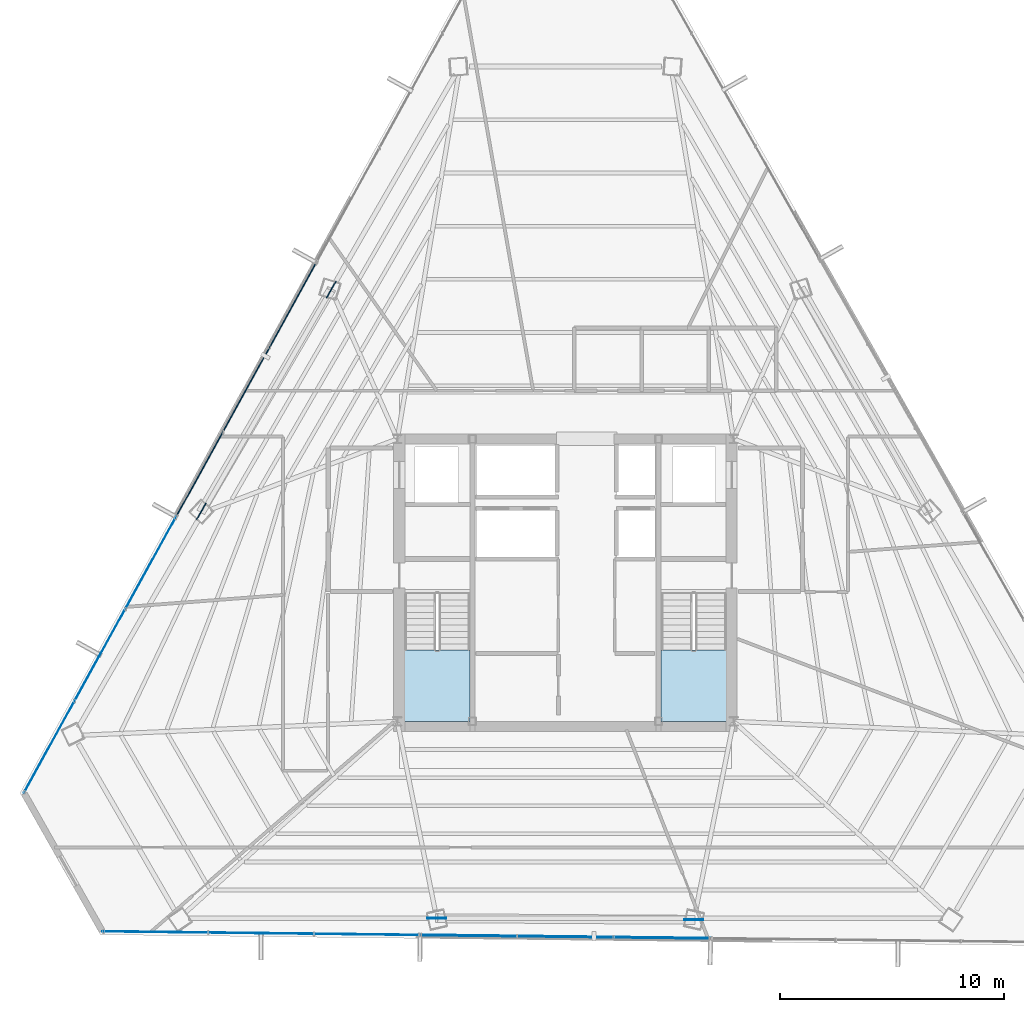
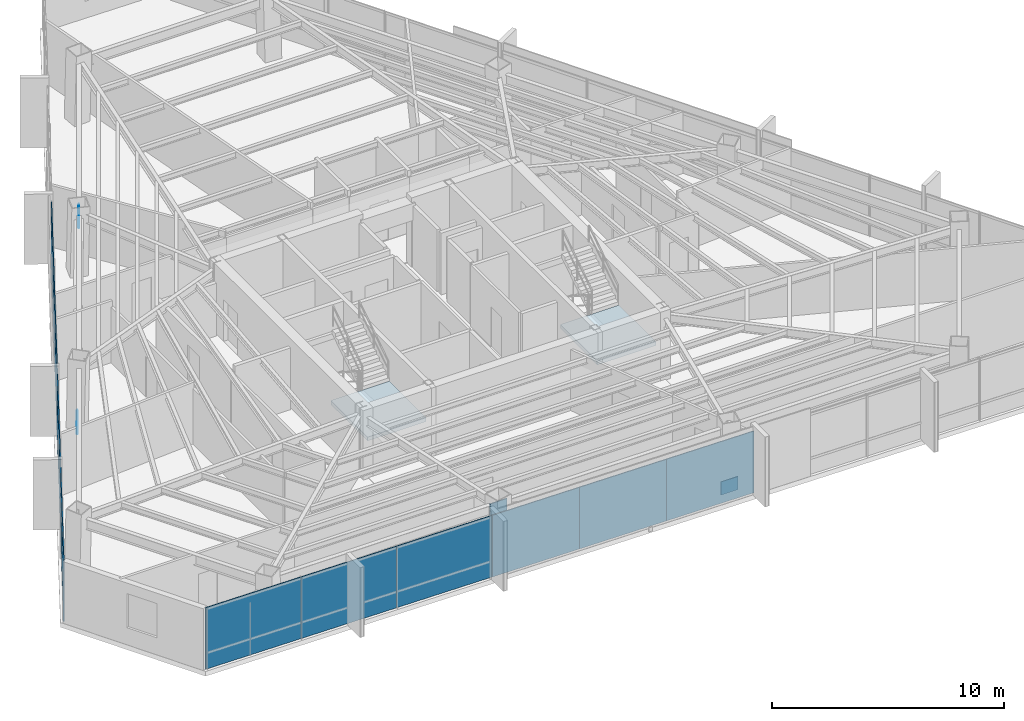
# One storey, part 33 of 40: 16 plates, 2 slabs, 6 elements without a shape of their own.
"""IFC4 building model written with IfcOpenShell, lengths in metres."""

from ifc_helpers import new_model, si_unit, direction, frame, origin, origin_2d, place, context, subcontext, project, spatial, polyline, rectangle, outline, extrude, source, transform, mapped, material, layer, layer_set, type_object, type_shapes, element, aggregate, save


model = new_model("IFC4")

# Units and contexts
model_context = context("Model", 3, precision=1e-05, world=origin(), true_north=direction((0.0, 1.0)))
body_context = subcontext(model_context, "Body", "Model", "MODEL_VIEW")
ifc_project = project(units=[si_unit("LENGTHUNIT", "METRE"), si_unit("AREAUNIT", "SQUARE_METRE"), si_unit("VOLUMEUNIT", "CUBIC_METRE"), si_unit("PLANEANGLEUNIT", "RADIAN"), si_unit("MASSUNIT", "GRAM", prefix="KILO")], contexts=[model_context])

# Site, building, storey
site_placement = place(None, origin())
site = spatial("IfcSite", under=ifc_project, at=site_placement, CompositionType="ELEMENT")
building_placement = place(site_placement, origin())
building = spatial("IfcBuilding", under=site, at=building_placement, Name="Caelisora Broadcast Tower", CompositionType="ELEMENT")
storey_placement = place(building_placement, frame((0.0, 0.0, 216.89990234375)))
storey = spatial("IfcBuildingStorey", under=building, at=storey_placement, Name="L57", CompositionType="ELEMENT", Elevation=216.89990234375)

# Stair, slab
ifc_material_1 = material(Name="Concrete 40 MPa (AS 3600 N40)", Category="concrete")
stair_type_1 = type_object("IfcStairType", Name="ST-1", PredefinedType="HALF_TURN_STAIR", material=ifc_material_1)
stair_1_placement = place(storey_placement, origin())
stair_1 = element("IfcStair", 1, at=stair_1_placement, inside=storey, type_object=stair_type_1, Name="L57 West Fire-Isolated Tower Stair", PredefinedType="HALF_TURN_STAIR")
ifc_layer_1 = layer(ifc_material_1, 0.199951171875, Name="Concrete 40 MPa (AS 3600 N40)")
ifc_layer_set_1 = layer_set([ifc_layer_1], Name="Concrete 40 MPa (AS 3600 N40)")
slab_type = type_object("IfcSlabType", Name="STL-1", PredefinedType="LANDING", material=ifc_layer_set_1)
slab_1_placement = place(storey_placement, frame((0.0, 0.0, 1.625)))
slab_1 = element("IfcSlab", 2, at=slab_1_placement, type_object=slab_type, Name="ST-1 landing 1", PredefinedType="LANDING", context=body_context, shape_type="SweptSolid", body=[
    extrude(outline(polyline([(30.820068359375, 20.580078125), (30.820068359375, 17.39990234375), (33.739990234375, 17.39990234375), (33.739990234375, 20.580078125), (30.820068359375, 20.580078125)])), origin(), (0.0, 0.0, 1.0), 0.2001953125),
])
aggregate(stair_1, [slab_1])

stair_type_2 = type_object("IfcStairType", Name="ST-2", PredefinedType="HALF_TURN_STAIR", material=ifc_material_1)
stair_2_placement = place(storey_placement, origin())
stair_2 = element("IfcStair", 3, at=stair_2_placement, inside=storey, type_object=stair_type_2, Name="L57 East Fire-Isolated Tower Stair", PredefinedType="HALF_TURN_STAIR")
slab_2_placement = place(storey_placement, frame((0.0, 0.0, 1.625)))
slab_2 = element("IfcSlab", 4, at=slab_2_placement, type_object=slab_type, Name="ST-2 landing 1", PredefinedType="LANDING", context=body_context, shape_type="SweptSolid", body=[
    extrude(outline(polyline([(42.260009765625, 20.580078125), (42.260009765625, 17.39990234375), (45.179931640625, 17.39990234375), (45.179931640625, 20.580078125), (42.260009765625, 20.580078125)])), origin(), (0.0, 0.0, 1.0), 0.2001953125),
])
aggregate(stair_2, [slab_2])

# Plates
ifc_material_2 = material(Name="Steel Grade 350 L15 (AS/NZS 3678)", Category="steel")
ifc_layer_2 = layer(ifc_material_2, 0.0400390625, Name="Steel Grade 350 L15 (AS/NZS 3678)")
ifc_layer_set_2 = layer_set([ifc_layer_2], Name="Steel Grade 350 L15 (AS/NZS 3678)")
plate_type_1 = type_object("IfcPlateType", Name="GP04", PredefinedType="USERDEFINED", material=ifc_layer_set_2)
shared_shape_1 = source(origin(), body_context, "Body", "SweptSolid", [
    extrude(rectangle(XDim=0.85009765625, YDim=0.0400390625, at=origin_2d()), origin(), (0.0, 0.0, 1.0), 0.699951171875),
])
type_shapes(plate_type_1, [shared_shape_1])
for number, where, z_axis, x_axis, name in (
    (5, (27.553955078125, 36.6630859375, 2.580078125), (0.0, 0.0, 1.0), (-0.5, -0.866025403784, 0.0), "L57 gusset plate GP04 (ND-L57-C02T)"),
    (6, (21.755859375, 26.765380859375, -0.22998046875), (0.0, 0.0, 1.0), (-0.5, -0.866025403784, 0.0), "L57 gusset plate GP04 (ND-L57-C03B)"),
    (7, (32.25634765625, 8.621826171875, 2.580078125), (0.0, 0.0, 1.0), (1.0, 0.0, 0.0), "L57 gusset plate GP04 (ND-L57-C06T)"),
    (8, (43.727294921875, 8.549560546875, -0.22998046875), (0.0, 0.0, 1.0), (1.0, 0.0, 0.0), "L57 gusset plate GP04 (ND-L57-C07B)"),
):
    element("IfcPlate", number, at=place(storey_placement, frame(where, z_axis=z_axis, x_axis=x_axis)), inside=storey, type_object=plate_type_1, Name=name, ObjectType="GUSSET PLATE", PredefinedType="USERDEFINED", context=body_context, shape_type="MappedRepresentation", body=[
        mapped(shared_shape_1, transform((0.0, 0.0, 0.0), scale=1.0)),
    ])

# Curtain wall, plates
ifc_material_3 = material(Name="Unitised Aluminium Insulated Shadow-Box Spandrel Curtain Wall", Category="aluminium")
curtain_wall_type_1 = type_object("IfcCurtainWallType", Name="CW-SP2", PredefinedType="NOTDEFINED", material=ifc_material_3)
curtain_wall_1_placement = place(storey_placement, origin())
curtain_wall_1 = element("IfcCurtainWall", 9, at=curtain_wall_1_placement, inside=storey, type_object=curtain_wall_type_1, Name="L57 curtain wall CW-SP2", PredefinedType="NOTDEFINED")
ifc_material_4 = material(Name="Insulated Terracotta Shadow-Box Spandrel Panel", Category="aluminium")
ifc_layer_3 = layer(ifc_material_4, 0.0439453125, Name="Insulated Terracotta Shadow-Box Spandrel Panel")
ifc_layer_set_3 = layer_set([ifc_layer_3], Name="Insulated Terracotta Shadow-Box Spandrel Panel")
plate_type_2 = type_object("IfcPlateType", Name="CWP-10", PredefinedType="CURTAIN_PANEL", material=ifc_layer_set_3)
shared_shape_2 = source(origin(), body_context, "Body", "SweptSolid", [
    extrude(rectangle(XDim=4.314697265625, YDim=0.0439453125, at=origin_2d()), origin(), (0.0, 0.0, 1.0), 3.25),
])
plate_1_placement = place(storey_placement, frame((42.3056640625, 7.74560546875, 0.0), z_axis=(0.0, 0.0, 1.0), x_axis=(-0.99993365506, 0.011518918316, 0.0)))
plate_1 = element("IfcPlate", 10, at=plate_1_placement, type_object=plate_type_2, Name="L57-CW-B06 spandrel panel #1", PredefinedType="CURTAIN_PANEL", context=body_context, shape_type="MappedRepresentation", body=[
    mapped(shared_shape_2, transform((0.0, 0.0, 0.0), scale=1.0)),
])
plate_2_placement = place(storey_placement, frame((37.9912109375, 7.79541015625, 0.0), z_axis=(0.0, 0.0, 1.0), x_axis=(-0.99993365506, 0.011518918316, 0.0)))
plate_2 = element("IfcPlate", 11, at=plate_2_placement, type_object=plate_type_2, Name="L57-CW-B06 spandrel panel #2", PredefinedType="CURTAIN_PANEL", context=body_context, shape_type="MappedRepresentation", body=[
    mapped(shared_shape_2, transform((0.0, 0.0, 0.0), scale=1.0)),
])
plate_3_placement = place(storey_placement, frame((33.677001953125, 7.844970703125, 0.0), z_axis=(0.0, 0.0, 1.0), x_axis=(-0.99993365506, 0.011518918316, 0.0)))
plate_3 = element("IfcPlate", 12, at=plate_3_placement, type_object=plate_type_2, Name="L57-CW-B06 spandrel panel #3", PredefinedType="CURTAIN_PANEL", context=body_context, shape_type="MappedRepresentation", body=[
    mapped(shared_shape_2, transform((0.0, 0.0, 0.0), scale=1.0)),
])
aggregate(curtain_wall_1, [plate_1, plate_2, plate_3])

ifc_material_5 = material(Name="Unitised Aluminium and Low-E Glass Curtain Wall", Category="glass")
curtain_wall_type_2 = type_object("IfcCurtainWallType", Name="CW-Z4", PredefinedType="NOTDEFINED", material=ifc_material_5)
curtain_wall_2_placement = place(storey_placement, origin())
curtain_wall_2 = element("IfcCurtainWall", 13, at=curtain_wall_2_placement, inside=storey, type_object=curtain_wall_type_2, Name="L57 curtain wall CW-Z4", PredefinedType="NOTDEFINED")
ifc_material_6 = material(Name="Double Glazed Low-E Argon IGU", Category="glass")
ifc_layer_4 = layer(ifc_material_6, 0.030029296875, Name="Double Glazed Low-E Argon IGU")
ifc_layer_set_4 = layer_set([ifc_layer_4], Name="Double Glazed Low-E Argon IGU")
plate_type_3 = type_object("IfcPlateType", Name="CWP-05", PredefinedType="CURTAIN_PANEL", material=ifc_layer_set_4)
shared_shape_3 = source(origin(), body_context, "Body", "SweptSolid", [
    extrude(rectangle(XDim=4.722900390625, YDim=0.030029296875, at=origin_2d()), origin(), (0.0, 0.0, 1.0), 3.25),
])
plate_4_placement = place(storey_placement, frame((29.1484375, 7.897216796875, 0.0), z_axis=(0.0, 0.0, 1.0), x_axis=(-0.99993365506, 0.011518918316, 0.0)))
plate_4 = element("IfcPlate", 14, at=plate_4_placement, type_object=plate_type_3, Name="L57-CW-B07 glazed panel #1", PredefinedType="CURTAIN_PANEL", context=body_context, shape_type="MappedRepresentation", body=[
    mapped(shared_shape_3, transform((0.0, 0.0, 0.0), scale=1.0)),
])
plate_5_placement = place(storey_placement, frame((24.42578125, 7.951416015625, 0.0), z_axis=(0.0, 0.0, 1.0), x_axis=(-0.99993365506, 0.011518918316, 0.0)))
plate_5 = element("IfcPlate", 15, at=plate_5_placement, type_object=plate_type_3, Name="L57-CW-B07 glazed panel #2", PredefinedType="CURTAIN_PANEL", context=body_context, shape_type="MappedRepresentation", body=[
    mapped(shared_shape_3, transform((0.0, 0.0, 0.0), scale=1.0)),
])
plate_6_placement = place(storey_placement, frame((19.703369140625, 8.005859375, 0.0), z_axis=(0.0, 0.0, 1.0), x_axis=(-0.99993365506, 0.011518918316, 0.0)))
plate_6 = element("IfcPlate", 16, at=plate_6_placement, type_object=plate_type_3, Name="L57-CW-B07 glazed panel #3", PredefinedType="CURTAIN_PANEL", context=body_context, shape_type="MappedRepresentation", body=[
    mapped(shared_shape_3, transform((0.0, 0.0, 0.0), scale=1.0)),
])
aggregate(curtain_wall_2, [plate_4, plate_5, plate_6])

curtain_wall_3_placement = place(storey_placement, origin())
curtain_wall_3 = element("IfcCurtainWall", 17, at=curtain_wall_3_placement, inside=storey, type_object=curtain_wall_type_2, Name="L57 curtain wall CW-Z4", PredefinedType="NOTDEFINED")
shared_shape_4 = source(origin(), body_context, "Body", "SweptSolid", [
    extrude(rectangle(XDim=4.686767578125, YDim=0.030029296875, at=origin_2d()), origin(), (0.0, 0.0, 1.0), 3.25),
])
type_shapes(plate_type_3, [shared_shape_3, shared_shape_4])
plate_7_placement = place(storey_placement, frame((14.973388671875, 16.26318359375, 0.0), z_axis=(0.0, 0.0, 1.0), x_axis=(0.482823924874, 0.875717453046, 0.0)))
plate_7 = element("IfcPlate", 18, at=plate_7_placement, type_object=plate_type_3, Name="L57-CW-B09 glazed panel #1", PredefinedType="CURTAIN_PANEL", context=body_context, shape_type="MappedRepresentation", body=[
    mapped(shared_shape_4, transform((0.0, 0.0, 0.0), scale=1.0)),
])
plate_8_placement = place(storey_placement, frame((17.236572265625, 20.3671875, 0.0), z_axis=(0.0, 0.0, 1.0), x_axis=(0.482823924874, 0.875717453046, 0.0)))
plate_8 = element("IfcPlate", 19, at=plate_8_placement, type_object=plate_type_3, Name="L57-CW-B09 glazed panel #2", PredefinedType="CURTAIN_PANEL", context=body_context, shape_type="MappedRepresentation", body=[
    mapped(shared_shape_4, transform((0.0, 0.0, 0.0), scale=1.0)),
])
plate_9_placement = place(storey_placement, frame((19.49951171875, 24.47119140625, 0.0), z_axis=(0.0, 0.0, 1.0), x_axis=(0.482823924874, 0.875717453046, 0.0)))
plate_9 = element("IfcPlate", 20, at=plate_9_placement, type_object=plate_type_3, Name="L57-CW-B09 glazed panel #3", PredefinedType="CURTAIN_PANEL", context=body_context, shape_type="MappedRepresentation", body=[
    mapped(shared_shape_4, transform((0.0, 0.0, 0.0), scale=1.0)),
])
aggregate(curtain_wall_3, [plate_7, plate_8, plate_9])

curtain_wall_4_placement = place(storey_placement, origin())
curtain_wall_4 = element("IfcCurtainWall", 21, at=curtain_wall_4_placement, inside=storey, type_object=curtain_wall_type_1, Name="L57 curtain wall CW-SP2", PredefinedType="NOTDEFINED")
shared_shape_5 = source(origin(), body_context, "Body", "SweptSolid", [
    extrude(rectangle(XDim=4.314208984375, YDim=0.0439453125, at=origin_2d()), origin(), (0.0, 0.0, 1.0), 3.25),
])
type_shapes(plate_type_2, [shared_shape_2, shared_shape_5])
plate_10_placement = place(storey_placement, frame((21.677490234375, 28.4208984375, 0.0), z_axis=(0.0, 0.0, 1.0), x_axis=(0.482823924874, 0.875717453046, 0.0)))
plate_10 = element("IfcPlate", 22, at=plate_10_placement, type_object=plate_type_2, Name="L57-CW-B10 spandrel panel #1", PredefinedType="CURTAIN_PANEL", context=body_context, shape_type="MappedRepresentation", body=[
    mapped(shared_shape_5, transform((0.0, 0.0, 0.0), scale=1.0)),
])
plate_11_placement = place(storey_placement, frame((23.760498046875, 32.198974609375, 0.0), z_axis=(0.0, 0.0, 1.0), x_axis=(0.482823924874, 0.875717453046, 0.0)))
plate_11 = element("IfcPlate", 23, at=plate_11_placement, type_object=plate_type_2, Name="L57-CW-B10 spandrel panel #2", PredefinedType="CURTAIN_PANEL", context=body_context, shape_type="MappedRepresentation", body=[
    mapped(shared_shape_5, transform((0.0, 0.0, 0.0), scale=1.0)),
])
plate_12_placement = place(storey_placement, frame((25.84375, 35.976806640625, 0.0), z_axis=(0.0, 0.0, 1.0), x_axis=(0.482823924874, 0.875717453046, 0.0)))
plate_12 = element("IfcPlate", 24, at=plate_12_placement, type_object=plate_type_2, Name="L57-CW-B10 spandrel panel #3", PredefinedType="CURTAIN_PANEL", context=body_context, shape_type="MappedRepresentation", body=[
    mapped(shared_shape_5, transform((0.0, 0.0, 0.0), scale=1.0)),
])
aggregate(curtain_wall_4, [plate_10, plate_11, plate_12])

save(model, "model.ifc")
